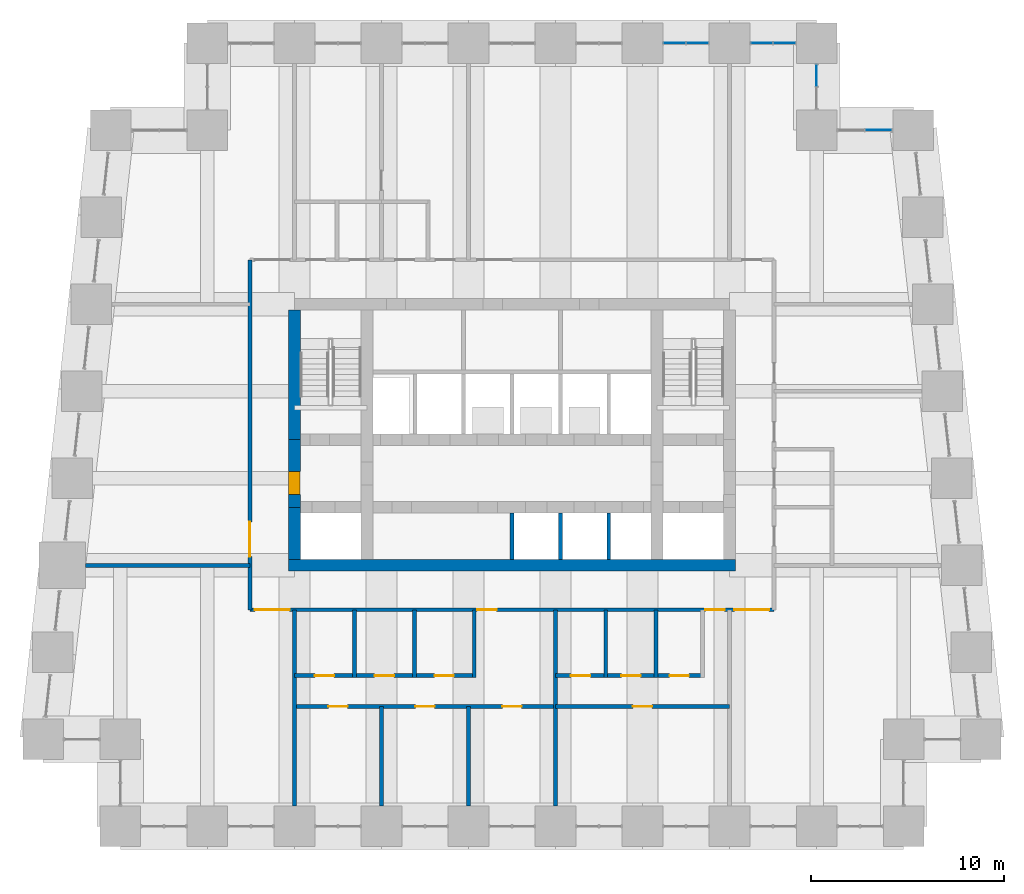
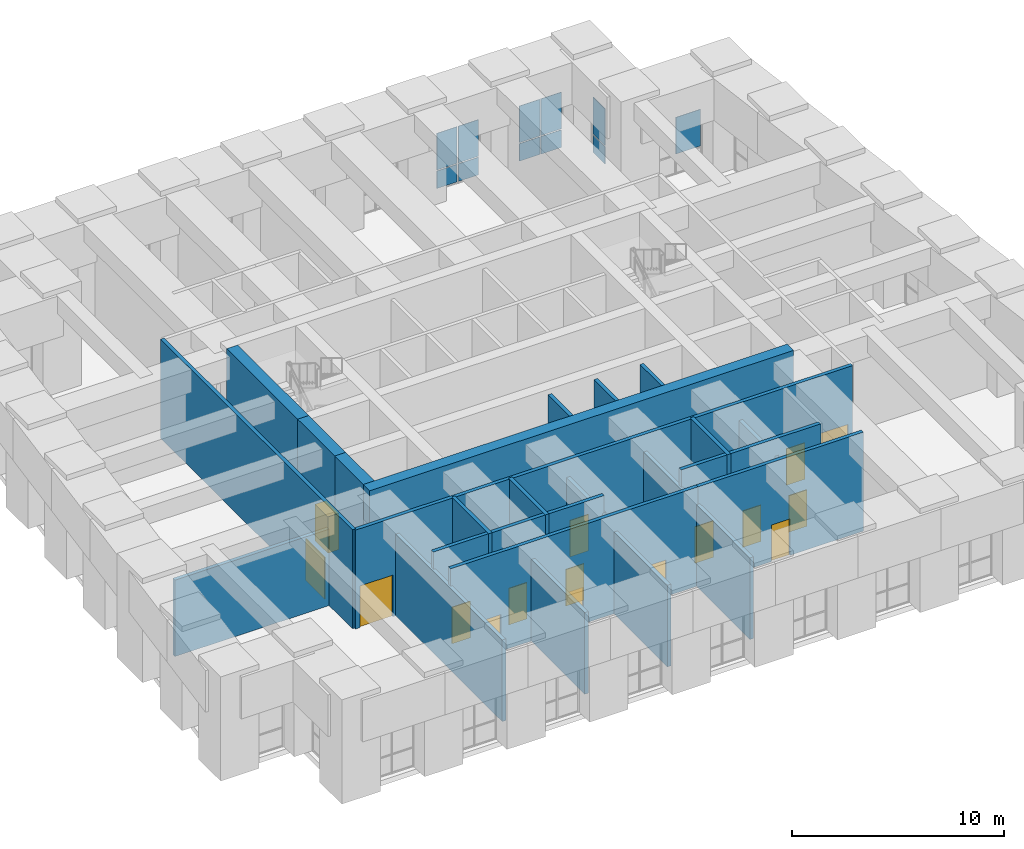
# One storey, part 11 of 17: 23 walls, 16 doors, 11 plates, 16 openings, 4 elements without a shape of their own.
"""IFC4 building model written with IfcOpenShell, lengths in metres."""

import ifcopenshell
import ifcopenshell.guid

model = None  # the IFC model being written
_history = None  # IfcOwnerHistory: only IFC2X3 demands one
_inside = {}  # id of a spatial element -> (the spatial element, [elements in it])
_under = {}  # id of a project, library or spatial element -> (it, [spatial elements below it])
_declared = {}  # id of a project -> (the project, [libraries it declares])
_typed = {}  # id of a type object -> (the type object, [elements of that type])
_made_of = {}  # id of a material, layer set ... -> (it, [elements and type objects made of it])


def new_model(schema):
    """Start an empty IFC model of exactly this schema.

    Asked for "IFC4X3", IfcOpenShell would pick the latest addendum, in which some entities
    have other attributes; the version numbers below select the first issue.
    IFC2X3 requires an IfcOwnerHistory on every rooted entity: one is made here for all.
    """
    global model, _history
    if schema == "IFC4X3":
        model = ifcopenshell.file(schema_version=(4, 3, 0, 0))
    else:
        model = ifcopenshell.file(schema=schema)
    _inside.clear()
    _under.clear()
    _declared.clear()
    _typed.clear()
    _made_of.clear()
    _history = None
    if model.schema == "IFC2X3":
        org = make("IfcOrganization", Name="unknown")
        user = make(
            "IfcPersonAndOrganization",
            ThePerson=make("IfcPerson", FamilyName="unknown"),
            TheOrganization=org,
        )
        app = make(
            "IfcApplication",
            ApplicationDeveloper=org,
            Version="unknown",
            ApplicationFullName="unknown",
            ApplicationIdentifier="unknown",
        )
        _history = make(
            "IfcOwnerHistory",
            OwningUser=user,
            OwningApplication=app,
            ChangeAction="ADDED",
            CreationDate=0,
        )
    return model


def make(cls, **values):
    """One entity of the class cls with the attributes given. An attribute that is None is left unset."""
    return model.create_entity(
        cls, **{name: value for name, value in values.items() if value is not None}
    )


def rooted(cls, **values):
    """An entity with a GlobalId (a new one), such as an element, a storey or a relation."""
    return make(cls, GlobalId=ifcopenshell.guid.new(), OwnerHistory=_history, **values)


def si_unit(unit_type, name, prefix=None):
    """IfcSIUnit, for example si_unit("LENGTHUNIT", "METRE", prefix="MILLI")."""
    return make("IfcSIUnit", UnitType=unit_type, Prefix=prefix, Name=name)


def assignment(units):
    """IfcUnitAssignment: the units of a project."""
    return None if units is None else make("IfcUnitAssignment", Units=units)


def point(xyz):
    """IfcCartesianPoint."""
    return None if xyz is None else make("IfcCartesianPoint", Coordinates=xyz)


def direction(xyz):
    """IfcDirection."""
    return None if xyz is None else make("IfcDirection", DirectionRatios=xyz)


def frame(location, z_axis=None, x_axis=None):
    """IfcAxis2Placement3D, a coordinate frame: its origin and axes. An axis left out is left unset."""
    return make(
        "IfcAxis2Placement3D",
        Location=point(location),
        Axis=direction(z_axis),
        RefDirection=direction(x_axis),
    )


def frame_2d(location, x_axis=None):
    """IfcAxis2Placement2D, a coordinate frame in the plane: its origin and x axis."""
    return make(
        "IfcAxis2Placement2D", Location=point(location), RefDirection=direction(x_axis)
    )


def origin():
    """The frame at (0, 0, 0) with its axes left unset."""
    return frame((0.0, 0.0, 0.0))


def origin_2d():
    """The frame at (0, 0) in the plane with its x axis left unset."""
    return frame_2d((0.0, 0.0))


def place(relative_to, where):
    """IfcLocalPlacement: puts the frame where relative to a parent placement (None: the world)."""
    return make(
        "IfcLocalPlacement", PlacementRelTo=relative_to, RelativePlacement=where
    )


def context(
    kind, dimensions, precision=None, world=None, true_north=None, identifier=None
):
    """IfcGeometricRepresentationContext, for example the 3D "Model" context."""
    return make(
        "IfcGeometricRepresentationContext",
        ContextIdentifier=identifier,
        ContextType=kind,
        CoordinateSpaceDimension=dimensions,
        Precision=precision,
        WorldCoordinateSystem=world,
        TrueNorth=true_north,
    )


def subcontext(parent, identifier, kind, view, scale=None):
    """IfcGeometricRepresentationSubContext, for example "Body" below "Model"."""
    return make(
        "IfcGeometricRepresentationSubContext",
        ContextIdentifier=identifier,
        ContextType=kind,
        ParentContext=parent,
        TargetScale=scale,
        TargetView=view,
    )


def project(units=None, contexts=None):
    """IfcProject with its units and contexts."""
    return rooted(
        "IfcProject",
        Name="project",
        RepresentationContexts=contexts,
        UnitsInContext=assignment(units),
    )


def spatial(cls, under=None, at=None, **own):
    """A site, building, storey or space (cls), placed at a placement, below another one or the project."""
    s = rooted(cls, ObjectPlacement=at, **own)
    if under is not None:
        _under.setdefault(under.id(), (under, []))[1].append(s)
    return s


def profile(cls, at=None, kind="AREA", **sizes):
    """A parametric profile (cls). Its sizes go by their IFC names, for example OverallWidth=200.0."""
    return make(cls, ProfileType=kind, Position=at, **sizes)


def rectangle(**sizes):
    """IfcRectangleProfileDef."""
    return profile("IfcRectangleProfileDef", **sizes)


def extrude(swept, where, along, depth):
    """IfcExtrudedAreaSolid: the profile swept, set in the frame where, extruded along a direction by depth."""
    return make(
        "IfcExtrudedAreaSolid",
        SweptArea=swept,
        Position=where,
        ExtrudedDirection=direction(along),
        Depth=depth,
    )


def shape(context_of_items, identifier, shape_type, items):
    """IfcShapeRepresentation: the items that make up one representation, for example the "Body"."""
    return make(
        "IfcShapeRepresentation",
        ContextOfItems=context_of_items,
        RepresentationIdentifier=identifier,
        RepresentationType=shape_type,
        Items=items,
    )


def material(Name=None, Category=None):
    """IfcMaterial."""
    return make("IfcMaterial", Name=Name, Category=Category)


def layer(
    of_material, thickness, ventilated=None, Name=None, Category=None, Priority=None
):
    """IfcMaterialLayer: one layer of a wall or slab, of a material (None: an air gap)."""
    return make(
        "IfcMaterialLayer",
        Material=of_material,
        LayerThickness=thickness,
        IsVentilated=ventilated,
        Name=Name,
        Category=Category,
        Priority=Priority,
    )


def layer_set(layers, Name=None):
    """IfcMaterialLayerSet."""
    return make("IfcMaterialLayerSet", MaterialLayers=layers, LayerSetName=Name)


def made_of(thing, what):
    """Note that an element or type object is made of a material, layer set ...; save() writes the relation."""
    if what is not None:
        _made_of.setdefault(what.id(), (what, []))[1].append(thing)
    return thing


def type_object(cls, material=None, **own):
    """A type object (cls), such as IfcWallType, which elements share."""
    return made_of(rooted(cls, **own), material)


def element(
    cls,
    number,
    at=None,
    inside=None,
    cuts=None,
    type_object=None,
    material=None,
    context=None,
    identifier="Body",
    shape_type=None,
    held_by="IfcProductDefinitionShape",
    body=None,
    shapes=None,
    **own,
):
    """One element of the class cls, such as IfcWall. Its Tag is "e" and its number.

    at: its placement. inside: the storey or other place that contains it. cuts: it is an
    opening in that element (IfcRelVoidsElement). A single representation is given by context,
    identifier, shape_type and body (its items); several are given by shapes. held_by: the class
    of the entity that holds the representations. save() writes the other relations.
    """
    e = rooted(cls, Tag="e%d" % number, ObjectPlacement=at, **own)
    if body is not None:
        shapes = [shape(context, identifier, shape_type, body)]
    if shapes is not None:
        e.Representation = make(held_by, Representations=shapes)
    if inside is not None:
        _inside.setdefault(inside.id(), (inside, []))[1].append(e)
    if cuts is not None:
        rooted(
            "IfcRelVoidsElement", RelatingBuildingElement=cuts, RelatedOpeningElement=e
        )
    if type_object is not None:
        _typed.setdefault(type_object.id(), (type_object, []))[1].append(e)
    return made_of(e, material)


def fill(opening, filler):
    """IfcRelFillsElement: the door or window that sits in an opening."""
    return rooted(
        "IfcRelFillsElement",
        RelatingOpeningElement=opening,
        RelatedBuildingElement=filler,
    )


def aggregate(whole, parts):
    """IfcRelAggregates: a whole, such as a stair, and the parts it consists of."""
    return rooted("IfcRelAggregates", RelatingObject=whole, RelatedObjects=parts)


def save(model, path):
    """Write the relations noted so far, then the file.

    IfcRelAggregates (storeys below a building ...), IfcRelContainedInSpatialStructure (elements
    in a storey), IfcRelDefinesByType, IfcRelAssociatesMaterial and IfcRelDeclares: one each for
    every whole, place, type object, material and project.
    """
    for whole, parts in _under.values():
        aggregate(whole, parts)
    for where, things in _inside.values():
        rooted(
            "IfcRelContainedInSpatialStructure",
            RelatedElements=things,
            RelatingStructure=where,
        )
    for kind, things in _typed.values():
        rooted("IfcRelDefinesByType", RelatedObjects=things, RelatingType=kind)
    for what, things in _made_of.values():
        rooted("IfcRelAssociatesMaterial", RelatedObjects=things, RelatingMaterial=what)
    for by, libraries in _declared.values():
        rooted("IfcRelDeclares", RelatingContext=by, RelatedDefinitions=libraries)
    model.write(path)


model = new_model("IFC4")

# Units and contexts
model_context = context("Model", 3, precision=1e-05, world=origin(), true_north=direction((0.0, 1.0)))
body_context = subcontext(model_context, "Body", "Model", "MODEL_VIEW")
ifc_project = project(units=[si_unit("LENGTHUNIT", "METRE"), si_unit("AREAUNIT", "SQUARE_METRE"), si_unit("VOLUMEUNIT", "CUBIC_METRE"), si_unit("PLANEANGLEUNIT", "RADIAN"), si_unit("MASSUNIT", "GRAM", prefix="KILO")], contexts=[model_context])

# Site, building, storey
site_placement = place(None, origin())
site = spatial("IfcSite", under=ifc_project, at=site_placement, CompositionType="ELEMENT")
building_placement = place(site_placement, origin())
building = spatial("IfcBuilding", under=site, at=building_placement, Name="Kilele Tower Hotel", CompositionType="ELEMENT")
storey_placement = place(building_placement, frame((0.0, 0.0, 145.89990234375)))
storey = spatial("IfcBuildingStorey", under=building, at=storey_placement, Name="L38", CompositionType="ELEMENT", Elevation=145.89990234375)

# Curtain wall, plate
ifc_material_1 = material(Name="Aluminium curtain wall, clear double glazing", Category="aluminium")
curtain_wall_type = type_object("IfcCurtainWallType", Name="Sky lobby curtain wall CW-3", PredefinedType="NOTDEFINED", material=ifc_material_1)
curtain_wall_1_placement = place(storey_placement, origin())
curtain_wall_1 = element("IfcCurtainWall", 1, at=curtain_wall_1_placement, inside=storey, type_object=curtain_wall_type, Name="Sky lobby curtain wall CW-3 L38", PredefinedType="NOTDEFINED")
ifc_material_2 = material(Name="Clear double glazing", Category="glass")
ifc_layer_1 = layer(ifc_material_2, 0.028076171875)
ifc_layer_set_1 = layer_set([ifc_layer_1], Name="Clear double glazing")
plate_type = type_object("IfcPlateType", Name="Glazed panel 28 CW-3", PredefinedType="CURTAIN_PANEL", material=ifc_layer_set_1)
plate_1_placement = place(storey_placement, frame((43.7099609375, 36.0, 1.1298828125), z_axis=(0.0, 0.0, 1.0), x_axis=(-1.0, 0.0, 0.0)))
plate_1 = element("IfcPlate", 2, at=plate_1_placement, type_object=plate_type, Name="CW-3 panel 1.2", PredefinedType="CURTAIN_PANEL", context=body_context, shape_type="SweptSolid", body=[
    extrude(rectangle(XDim=1.360107421875, YDim=0.028076171875, at=origin_2d()), origin(), (0.0, 0.0, 1.0), 2.110107421875),
])
aggregate(curtain_wall_1, [plate_1])

# Curtain wall, plates
curtain_wall_2_placement = place(storey_placement, origin())
curtain_wall_2 = element("IfcCurtainWall", 3, at=curtain_wall_2_placement, inside=storey, type_object=curtain_wall_type, Name="Sky lobby curtain wall CW-3 L38", PredefinedType="NOTDEFINED")
plate_2_placement = place(storey_placement, frame((40.5, 38.8349609375, 0.06005859375), z_axis=(0.0, 0.0, 1.0), x_axis=(0.0, 1.0, 0.0)))
plate_2 = element("IfcPlate", 4, at=plate_2_placement, type_object=plate_type, Name="CW-3 panel 2.1", PredefinedType="CURTAIN_PANEL", context=body_context, shape_type="SweptSolid", body=[
    extrude(rectangle(XDim=1.110107421875, YDim=0.028076171875, at=origin_2d()), origin(), (0.0, 0.0, 1.0), 1.010009765625),
])
plate_3_placement = place(storey_placement, frame((40.5, 38.8349609375, 1.1298828125), z_axis=(0.0, 0.0, 1.0), x_axis=(0.0, 1.0, 0.0)))
plate_3 = element("IfcPlate", 5, at=plate_3_placement, type_object=plate_type, Name="CW-3 panel 2.2", PredefinedType="CURTAIN_PANEL", context=body_context, shape_type="SweptSolid", body=[
    extrude(rectangle(XDim=1.110107421875, YDim=0.028076171875, at=origin_2d()), origin(), (0.0, 0.0, 1.0), 2.110107421875),
])
aggregate(curtain_wall_2, [plate_2, plate_3])

curtain_wall_3_placement = place(storey_placement, origin())
curtain_wall_3 = element("IfcCurtainWall", 6, at=curtain_wall_3_placement, inside=storey, type_object=curtain_wall_type, Name="Sky lobby curtain wall CW-3 L38", PredefinedType="NOTDEFINED")
plate_4_placement = place(storey_placement, frame((38.8349609375, 40.5, 0.06005859375), z_axis=(0.0, 0.0, 1.0), x_axis=(-1.0, 0.0, 0.0)))
plate_4 = element("IfcPlate", 7, at=plate_4_placement, type_object=plate_type, Name="CW-3 panel 1.1", PredefinedType="CURTAIN_PANEL", context=body_context, shape_type="SweptSolid", body=[
    extrude(rectangle(XDim=1.110107421875, YDim=0.028076171875, at=origin_2d()), origin(), (0.0, 0.0, 1.0), 1.010009765625),
])
plate_5_placement = place(storey_placement, frame((38.8349609375, 40.5, 1.1298828125), z_axis=(0.0, 0.0, 1.0), x_axis=(-1.0, 0.0, 0.0)))
plate_5 = element("IfcPlate", 8, at=plate_5_placement, type_object=plate_type, Name="CW-3 panel 1.2", PredefinedType="CURTAIN_PANEL", context=body_context, shape_type="SweptSolid", body=[
    extrude(rectangle(XDim=1.110107421875, YDim=0.028076171875, at=origin_2d()), origin(), (0.0, 0.0, 1.0), 2.110107421875),
])
plate_6_placement = place(storey_placement, frame((37.6650390625, 40.5, 0.06005859375), z_axis=(0.0, 0.0, 1.0), x_axis=(-1.0, 0.0, 0.0)))
plate_6 = element("IfcPlate", 9, at=plate_6_placement, type_object=plate_type, Name="CW-3 panel 2.1", PredefinedType="CURTAIN_PANEL", context=body_context, shape_type="SweptSolid", body=[
    extrude(rectangle(XDim=1.110107421875, YDim=0.028076171875, at=origin_2d()), origin(), (0.0, 0.0, 1.0), 1.010009765625),
])
plate_7_placement = place(storey_placement, frame((37.6650390625, 40.5, 1.1298828125), z_axis=(0.0, 0.0, 1.0), x_axis=(-1.0, 0.0, 0.0)))
plate_7 = element("IfcPlate", 10, at=plate_7_placement, type_object=plate_type, Name="CW-3 panel 2.2", PredefinedType="CURTAIN_PANEL", context=body_context, shape_type="SweptSolid", body=[
    extrude(rectangle(XDim=1.110107421875, YDim=0.028076171875, at=origin_2d()), origin(), (0.0, 0.0, 1.0), 2.110107421875),
])
aggregate(curtain_wall_3, [plate_4, plate_5, plate_6, plate_7])

curtain_wall_4_placement = place(storey_placement, origin())
curtain_wall_4 = element("IfcCurtainWall", 11, at=curtain_wall_4_placement, inside=storey, type_object=curtain_wall_type, Name="Sky lobby curtain wall CW-3 L38", PredefinedType="NOTDEFINED")
plate_8_placement = place(storey_placement, frame((34.3349609375, 40.5, 0.06005859375), z_axis=(0.0, 0.0, 1.0), x_axis=(-1.0, 0.0, 0.0)))
plate_8 = element("IfcPlate", 12, at=plate_8_placement, type_object=plate_type, Name="CW-3 panel 1.1", PredefinedType="CURTAIN_PANEL", context=body_context, shape_type="SweptSolid", body=[
    extrude(rectangle(XDim=1.110107421875, YDim=0.028076171875, at=origin_2d()), origin(), (0.0, 0.0, 1.0), 1.010009765625),
])
plate_9_placement = place(storey_placement, frame((34.3349609375, 40.5, 1.1298828125), z_axis=(0.0, 0.0, 1.0), x_axis=(-1.0, 0.0, 0.0)))
plate_9 = element("IfcPlate", 13, at=plate_9_placement, type_object=plate_type, Name="CW-3 panel 1.2", PredefinedType="CURTAIN_PANEL", context=body_context, shape_type="SweptSolid", body=[
    extrude(rectangle(XDim=1.110107421875, YDim=0.028076171875, at=origin_2d()), origin(), (0.0, 0.0, 1.0), 2.110107421875),
])
plate_10_placement = place(storey_placement, frame((33.1650390625, 40.5, 0.06005859375), z_axis=(0.0, 0.0, 1.0), x_axis=(-1.0, 0.0, 0.0)))
plate_10 = element("IfcPlate", 14, at=plate_10_placement, type_object=plate_type, Name="CW-3 panel 2.1", PredefinedType="CURTAIN_PANEL", context=body_context, shape_type="SweptSolid", body=[
    extrude(rectangle(XDim=1.110107421875, YDim=0.028076171875, at=origin_2d()), origin(), (0.0, 0.0, 1.0), 1.010009765625),
])
plate_11_placement = place(storey_placement, frame((33.1650390625, 40.5, 1.1298828125), z_axis=(0.0, 0.0, 1.0), x_axis=(-1.0, 0.0, 0.0)))
plate_11 = element("IfcPlate", 15, at=plate_11_placement, type_object=plate_type, Name="CW-3 panel 2.2", PredefinedType="CURTAIN_PANEL", context=body_context, shape_type="SweptSolid", body=[
    extrude(rectangle(XDim=1.110107421875, YDim=0.028076171875, at=origin_2d()), origin(), (0.0, 0.0, 1.0), 2.110107421875),
])
aggregate(curtain_wall_4, [plate_8, plate_9, plate_10, plate_11])

# Walls
ifc_material_3 = material(Name="Concrete C60/75", Category="concrete")
ifc_layer_2 = layer(ifc_material_3, 0.60009765625)
ifc_layer_set_2 = layer_set([ifc_layer_2], Name="Concrete C60/75")
wall_type_1 = type_object("IfcWallType", Name="Core wall 600 C60/75", PredefinedType="SHEAR", material=ifc_layer_set_2)
wall_1_placement = place(storey_placement, frame((13.199951171875, 13.5, 0.0), z_axis=(0.0, 0.0, 1.0), x_axis=(1.0, 0.0, 0.0)))
element("IfcWall", 16, at=wall_1_placement, inside=storey, type_object=wall_type_1, Name="Core wall S L38", PredefinedType="SHEAR", context=body_context, shape_type="SweptSolid", body=[
    extrude(rectangle(XDim=23.10009765625, YDim=0.60009765625, at=frame_2d((11.550048828125, 0.0))), origin(), (0.0, 0.0, 1.0), 6.0),
])
wall_2_placement = place(storey_placement, frame((13.5, 26.699951171875, 0.0), z_axis=(0.0, 0.0, 1.0), x_axis=(0.0, -1.0, 0.0)))
element("IfcWall", 17, at=wall_2_placement, inside=storey, type_object=wall_type_1, Name="Core wall W1 L38", PredefinedType="SHEAR", context=body_context, shape_type="SweptSolid", body=[
    extrude(rectangle(XDim=6.699951171875, YDim=0.60009765625, at=frame_2d((3.35009765625, 0.0))), origin(), (0.0, 0.0, 1.0), 6.0),
])

# Wall, opening, door
wall_3_placement = place(storey_placement, frame((13.5, 20.0, 0.0), z_axis=(0.0, 0.0, 1.0), x_axis=(0.0, -1.0, 0.0)))
wall_3 = element("IfcWall", 18, at=wall_3_placement, inside=storey, type_object=wall_type_1, Name="Core wall W2 L38", PredefinedType="SHEAR", context=body_context, shape_type="SweptSolid", body=[
    extrude(rectangle(XDim=3.5, YDim=0.60009765625, at=frame_2d((1.75, 0.0))), origin(), (0.0, 0.0, 1.0), 6.0),
])
opening_1_placement = place(wall_3_placement, frame((1.64990234375, 0.0, 0.0)))
opening_1 = element("IfcOpeningElement", 19, at=opening_1_placement, cuts=wall_3, Name="Opening D4", PredefinedType="OPENING", context=body_context, shape_type="SweptSolid", body=[
    extrude(rectangle(XDim=1.199951171875, YDim=2.10009765625, at=frame_2d((0.60009765625, 1.050048828125))), frame((0.0, 0.31005859375, 0.0), z_axis=(0.0, -1.0, 0.0), x_axis=(1.0, 0.0, 0.0)), (0.0, 0.0, 1.0), 0.6201171875),
])
ifc_material_4 = material(Name="Timber door leaf in hardwood frame", Category="wood")
door_type_1 = type_object("IfcDoorType", Name="Firefighting lobby door 1200", OperationType="SINGLE_SWING_LEFT", PredefinedType="DOOR", material=ifc_material_4)
door_1_placement = place(opening_1_placement, origin())
door_1 = element("IfcDoor", 20, at=door_1_placement, inside=storey, type_object=door_type_1, Name="Lobby door L38", OperationType="SINGLE_SWING_RIGHT", OverallHeight=2.10009765625, OverallWidth=1.199951171875, PredefinedType="DOOR", context=body_context, shape_type="SweptSolid", body=[
    extrude(rectangle(XDim=1.199951171875, YDim=2.10009765625, at=frame_2d((0.60009765625, 1.050048828125))), frame((0.0, 0.2998046875, 0.0), z_axis=(0.0, -1.0, 0.0), x_axis=(1.0, 0.0, 0.0)), (0.0, 0.0, 1.0), 0.599609375),
])
fill(opening_1, door_1)

# Wall
wall_4_placement = place(storey_placement, frame((13.5, 16.5, 0.0), z_axis=(0.0, 0.0, 1.0), x_axis=(0.0, -1.0, 0.0)))
element("IfcWall", 21, at=wall_4_placement, inside=storey, type_object=wall_type_1, Name="Core wall W3 L38", PredefinedType="SHEAR", context=body_context, shape_type="SweptSolid", body=[
    extrude(rectangle(XDim=2.699951171875, YDim=0.60009765625, at=frame_2d((1.35009765625, 0.0))), origin(), (0.0, 0.0, 1.0), 6.0),
])

# Wall, openings, doors
ifc_material_5 = material(Name="Blockwork, plastered both sides", Category="masonry")
ifc_layer_3 = layer(ifc_material_5, 0.199951171875)
ifc_layer_set_3 = layer_set([ifc_layer_3], Name="Blockwork, plastered both sides")
wall_type_2 = type_object("IfcWallType", Name="Corridor wall 200", PredefinedType="PARTITIONING", material=ifc_layer_set_3)
wall_5_placement = place(storey_placement, frame((11.199951171875, 11.199951171875, 0.0), z_axis=(0.0, 0.0, 1.0), x_axis=(1.0, 0.0, 0.0)))
wall_5 = element("IfcWall", 22, at=wall_5_placement, inside=storey, type_object=wall_type_2, Name="Corridor wall 200 L38", PredefinedType="PARTITIONING", context=body_context, shape_type="SweptSolid", body=[
    extrude(rectangle(XDim=27.10009765625, YDim=0.199951171875, at=frame_2d((13.550048828125, 0.0))), origin(), (0.0, 0.0, 1.0), 5.7001953125),
])
opening_2_placement = place(wall_5_placement, frame((11.75, 0.0, 0.0)))
opening_2 = element("IfcOpeningElement", 23, at=opening_2_placement, cuts=wall_5, Name="Opening D8", PredefinedType="OPENING", context=body_context, shape_type="SweptSolid", body=[
    extrude(rectangle(XDim=1.0, YDim=2.10009765625, at=frame_2d((0.5, 1.050048828125))), frame((0.0, 0.10986328125, 0.0), z_axis=(0.0, -1.0, 0.0), x_axis=(1.0, 0.0, 0.0)), (0.0, 0.0, 1.0), 0.219970703125),
])
opening_3_placement = place(wall_5_placement, frame((23.550048828125, 0.0, 0.0)))
opening_3 = element("IfcOpeningElement", 24, at=opening_3_placement, cuts=wall_5, Name="Opening D8", PredefinedType="OPENING", context=body_context, shape_type="SweptSolid", body=[
    extrude(rectangle(XDim=1.0, YDim=2.10009765625, at=frame_2d((0.5, 1.050048828125))), frame((0.0, 0.10986328125, 0.0), z_axis=(0.0, -1.0, 0.0), x_axis=(1.0, 0.0, 0.0)), (0.0, 0.0, 1.0), 0.219970703125),
])
opening_4_placement = place(wall_5_placement, frame((0.25, 0.0, 0.0)))
opening_4 = element("IfcOpeningElement", 25, at=opening_4_placement, cuts=wall_5, Name="Opening D9", PredefinedType="OPENING", context=body_context, shape_type="SweptSolid", body=[
    extrude(rectangle(XDim=1.800048828125, YDim=2.39990234375, at=frame_2d((0.89990234375, 1.199951171875))), frame((0.0, 0.10986328125, 0.0), z_axis=(0.0, -1.0, 0.0), x_axis=(1.0, 0.0, 0.0)), (0.0, 0.0, 1.0), 0.219970703125),
])
opening_5_placement = place(wall_5_placement, frame((25.050048828125, 0.0, 0.0)))
opening_5 = element("IfcOpeningElement", 26, at=opening_5_placement, cuts=wall_5, Name="Opening D9", PredefinedType="OPENING", context=body_context, shape_type="SweptSolid", body=[
    extrude(rectangle(XDim=1.800048828125, YDim=2.39990234375, at=frame_2d((0.89990234375, 1.199951171875))), frame((0.0, 0.10986328125, 0.0), z_axis=(0.0, -1.0, 0.0), x_axis=(1.0, 0.0, 0.0)), (0.0, 0.0, 1.0), 0.219970703125),
])
ifc_material_6 = material(Name="Timber door leaf in hardwood frame", Category="wood")
door_type_2 = type_object("IfcDoorType", Name="Door 1000", OperationType="SINGLE_SWING_LEFT", PredefinedType="DOOR", material=ifc_material_6)
door_2_placement = place(opening_2_placement, origin())
door_2 = element("IfcDoor", 27, at=door_2_placement, inside=storey, type_object=door_type_2, Name="Door Spa treatment corridor 3807", OperationType="SINGLE_SWING_LEFT", OverallHeight=2.10009765625, OverallWidth=1.0, PredefinedType="DOOR", context=body_context, shape_type="SweptSolid", body=[
    extrude(rectangle(XDim=1.0, YDim=2.10009765625, at=frame_2d((0.5, 1.050048828125))), frame((0.0, 0.02490234375, 0.0), z_axis=(0.0, -1.0, 0.0), x_axis=(1.0, 0.0, 0.0)), (0.0, 0.0, 1.0), 0.050048828125),
])
fill(opening_2, door_2)
door_3_placement = place(opening_3_placement, origin())
door_3 = element("IfcDoor", 28, at=door_3_placement, inside=storey, type_object=door_type_2, Name="Door Thermal suite corridor 3812", OperationType="SINGLE_SWING_RIGHT", OverallHeight=2.10009765625, OverallWidth=1.0, PredefinedType="DOOR", context=body_context, shape_type="SweptSolid", body=[
    extrude(rectangle(XDim=1.0, YDim=2.10009765625, at=frame_2d((0.5, 1.050048828125))), frame((0.0, 0.02490234375, 0.0), z_axis=(0.0, -1.0, 0.0), x_axis=(1.0, 0.0, 0.0)), (0.0, 0.0, 1.0), 0.050048828125),
])
fill(opening_3, door_3)
ifc_material_7 = material(Name="Timber door leaf in hardwood frame", Category="wood")
door_type_3 = type_object("IfcDoorType", Name="Double door 1800", OperationType="DOUBLE_DOOR_SINGLE_SWING", PredefinedType="DOOR", material=ifc_material_7)
door_4_placement = place(opening_4_placement, origin())
door_4 = element("IfcDoor", 29, at=door_4_placement, inside=storey, type_object=door_type_3, Name="Door Spa reception 3824", OperationType="DOUBLE_DOOR_SINGLE_SWING", OverallHeight=2.39990234375, OverallWidth=1.800048828125, PredefinedType="DOOR", context=body_context, shape_type="SweptSolid", body=[
    extrude(rectangle(XDim=1.800048828125, YDim=2.39990234375, at=frame_2d((0.89990234375, 1.199951171875))), frame((0.0, 0.02490234375, 0.0), z_axis=(0.0, -1.0, 0.0), x_axis=(1.0, 0.0, 0.0)), (0.0, 0.0, 1.0), 0.050048828125),
])
fill(opening_4, door_4)
door_5_placement = place(opening_5_placement, origin())
door_5 = element("IfcDoor", 30, at=door_5_placement, inside=storey, type_object=door_type_3, Name="Door Spa relaxation lounge 3825", OperationType="DOUBLE_DOOR_SINGLE_SWING", OverallHeight=2.39990234375, OverallWidth=1.800048828125, PredefinedType="DOOR", context=body_context, shape_type="SweptSolid", body=[
    extrude(rectangle(XDim=1.800048828125, YDim=2.39990234375, at=frame_2d((0.89990234375, 1.199951171875))), frame((0.0, 0.02490234375, 0.0), z_axis=(0.0, -1.0, 0.0), x_axis=(1.0, 0.0, 0.0)), (0.0, 0.0, 1.0), 0.050048828125),
])
fill(opening_5, door_5)

# Wall, opening, door
wall_6_placement = place(storey_placement, frame((11.199951171875, 11.199951171875, 0.0), z_axis=(0.0, 0.0, 1.0), x_axis=(0.0, 1.0, 0.0)))
wall_6 = element("IfcWall", 31, at=wall_6_placement, inside=storey, type_object=wall_type_2, Name="Corridor wall 200 L38", PredefinedType="PARTITIONING", context=body_context, shape_type="SweptSolid", body=[
    extrude(rectangle(XDim=18.10009765625, YDim=0.199951171875, at=frame_2d((9.050048828125, 0.0))), origin(), (0.0, 0.0, 1.0), 5.7001953125),
])
opening_6_placement = place(wall_6_placement, frame((2.75, 0.0, 0.0)))
opening_6 = element("IfcOpeningElement", 32, at=opening_6_placement, cuts=wall_6, Name="Opening D9", PredefinedType="OPENING", context=body_context, shape_type="SweptSolid", body=[
    extrude(rectangle(XDim=1.800048828125, YDim=2.39990234375, at=frame_2d((0.89990234375, 1.199951171875))), frame((0.0, 0.10986328125, 0.0), z_axis=(0.0, -1.0, 0.0), x_axis=(1.0, 0.0, 0.0)), (0.0, 0.0, 1.0), 0.219970703125),
])
door_6_placement = place(opening_6_placement, origin())
door_6 = element("IfcDoor", 33, at=door_6_placement, inside=storey, type_object=door_type_3, Name="Door Fitness centre 3823", OperationType="DOUBLE_DOOR_SINGLE_SWING", OverallHeight=2.39990234375, OverallWidth=1.800048828125, PredefinedType="DOOR", context=body_context, shape_type="SweptSolid", body=[
    extrude(rectangle(XDim=1.800048828125, YDim=2.39990234375, at=frame_2d((0.89990234375, 1.199951171875))), frame((0.0, 0.02490234375, 0.0), z_axis=(0.0, -1.0, 0.0), x_axis=(1.0, 0.0, 0.0)), (0.0, 0.0, 1.0), 0.050048828125),
])
fill(opening_6, door_6)

# Walls
ifc_material_8 = material(Name="Blockwork, plastered both sides", Category="masonry")
ifc_layer_4 = layer(ifc_material_8, 0.199951171875)
ifc_layer_set_4 = layer_set([ifc_layer_4], Name="Blockwork, plastered both sides")
wall_type_3 = type_object("IfcWallType", Name="Partition wall 200", PredefinedType="PARTITIONING", material=ifc_layer_set_4)
for number, where, z_axis, x_axis, name in (
    (34, (13.5, 11.199951171875, 0.0), (0.0, 0.0, 1.0), (0.0, -1.0, 0.0), "Partition wall 200 L38"),
    (35, (27.0, 11.199951171875, 0.0), (0.0, 0.0, 1.0), (0.0, -1.0, 0.0), "Partition wall 200 L38"),
):
    element("IfcWall", number, at=place(storey_placement, frame(where, z_axis=z_axis, x_axis=x_axis)), inside=storey, type_object=wall_type_3, Name=name, PredefinedType="PARTITIONING", context=body_context, shape_type="SweptSolid", body=[
        extrude(rectangle(XDim=10.14990234375, YDim=0.199951171875, at=frame_2d((5.074951171875, 0.0))), origin(), (0.0, 0.0, 1.0), 4.7001953125),
    ])
wall_7_placement = place(storey_placement, frame((11.199951171875, 13.5, 0.0), z_axis=(0.0, 0.0, 1.0), x_axis=(-1.0, 0.0, 0.0)))
element("IfcWall", 36, at=wall_7_placement, inside=storey, type_object=wall_type_3, Name="Partition wall 200 L38", PredefinedType="PARTITIONING", context=body_context, shape_type="SweptSolid", body=[
    extrude(rectangle(XDim=8.4990234375, YDim=0.199951171875, at=frame_2d((4.24951171875, 0.0))), origin(), (0.0, 0.0, 1.0), 4.400146484375),
])
for number, where, z_axis, x_axis, name in (
    (37, (16.60009765625, 11.199951171875, 0.0), (0.0, 0.0, 1.0), (0.0, -1.0, 0.0), "Partition wall 200 L38"),
    (38, (19.699951171875, 11.199951171875, 0.0), (0.0, 0.0, 1.0), (0.0, -1.0, 0.0), "Partition wall 200 L38"),
):
    element("IfcWall", number, at=place(storey_placement, frame(where, z_axis=z_axis, x_axis=x_axis)), inside=storey, type_object=wall_type_3, Name=name, PredefinedType="PARTITIONING", context=body_context, shape_type="SweptSolid", body=[
        extrude(rectangle(XDim=3.5, YDim=0.199951171875, at=frame_2d((1.75, 0.0))), origin(), (0.0, 0.0, 1.0), 5.7001953125),
    ])
wall_8_placement = place(storey_placement, frame((22.800048828125, 11.199951171875, 0.0), z_axis=(0.0, 0.0, 1.0), x_axis=(0.0, -1.0, 0.0)))
element("IfcWall", 39, at=wall_8_placement, inside=storey, type_object=wall_type_3, Name="Partition wall 200 L38", PredefinedType="PARTITIONING", context=body_context, shape_type="SweptSolid", body=[
    extrude(rectangle(XDim=3.5, YDim=0.199951171875, at=frame_2d((1.75, 0.0))), origin(), (0.0, 0.0, 1.0), 4.7001953125),
])

# Wall, openings, doors
wall_9_placement = place(storey_placement, frame((13.5, 7.800048828125, 0.0), z_axis=(0.0, 0.0, 1.0), x_axis=(1.0, 0.0, 0.0)))
wall_9 = element("IfcWall", 40, at=wall_9_placement, inside=storey, type_object=wall_type_3, Name="Partition wall 200 L38", PredefinedType="PARTITIONING", context=body_context, shape_type="SweptSolid", body=[
    extrude(rectangle(XDim=9.300048828125, YDim=0.199951171875, at=frame_2d((4.64990234375, 0.0))), origin(), (0.0, 0.0, 1.0), 5.7001953125),
])
opening_7_placement = place(wall_9_placement, frame((1.050048828125, 0.0, 0.0)))
opening_7 = element("IfcOpeningElement", 41, at=opening_7_placement, cuts=wall_9, Name="Opening D8", PredefinedType="OPENING", context=body_context, shape_type="SweptSolid", body=[
    extrude(rectangle(XDim=1.0, YDim=2.10009765625, at=frame_2d((0.5, 1.050048828125))), frame((0.0, 0.10986328125, 0.0), z_axis=(0.0, -1.0, 0.0), x_axis=(1.0, 0.0, 0.0)), (0.0, 0.0, 1.0), 0.219970703125),
])
opening_8_placement = place(wall_9_placement, frame((4.14990234375, 0.0, 0.0)))
opening_8 = element("IfcOpeningElement", 42, at=opening_8_placement, cuts=wall_9, Name="Opening D8", PredefinedType="OPENING", context=body_context, shape_type="SweptSolid", body=[
    extrude(rectangle(XDim=1.0, YDim=2.10009765625, at=frame_2d((0.5, 1.050048828125))), frame((0.0, 0.10986328125, 0.0), z_axis=(0.0, -1.0, 0.0), x_axis=(1.0, 0.0, 0.0)), (0.0, 0.0, 1.0), 0.219970703125),
])
opening_9_placement = place(wall_9_placement, frame((7.25, 0.0, 0.0)))
opening_9 = element("IfcOpeningElement", 43, at=opening_9_placement, cuts=wall_9, Name="Opening D8", PredefinedType="OPENING", context=body_context, shape_type="SweptSolid", body=[
    extrude(rectangle(XDim=1.0, YDim=2.10009765625, at=frame_2d((0.5, 1.050048828125))), frame((0.0, 0.10986328125, 0.0), z_axis=(0.0, -1.0, 0.0), x_axis=(1.0, 0.0, 0.0)), (0.0, 0.0, 1.0), 0.219970703125),
])
door_7_placement = place(opening_7_placement, origin())
door_7 = element("IfcDoor", 44, at=door_7_placement, inside=storey, type_object=door_type_2, Name="Door Spa treatment room 1 3801", OperationType="SINGLE_SWING_LEFT", OverallHeight=2.10009765625, OverallWidth=1.0, PredefinedType="DOOR", context=body_context, shape_type="SweptSolid", body=[
    extrude(rectangle(XDim=1.0, YDim=2.10009765625, at=frame_2d((0.5, 1.050048828125))), frame((0.0, 0.02490234375, 0.0), z_axis=(0.0, -1.0, 0.0), x_axis=(1.0, 0.0, 0.0)), (0.0, 0.0, 1.0), 0.050048828125),
])
fill(opening_7, door_7)
door_8_placement = place(opening_8_placement, origin())
door_8 = element("IfcDoor", 45, at=door_8_placement, inside=storey, type_object=door_type_2, Name="Door Spa treatment room 2 3802", OperationType="SINGLE_SWING_LEFT", OverallHeight=2.10009765625, OverallWidth=1.0, PredefinedType="DOOR", context=body_context, shape_type="SweptSolid", body=[
    extrude(rectangle(XDim=1.0, YDim=2.10009765625, at=frame_2d((0.5, 1.050048828125))), frame((0.0, 0.02490234375, 0.0), z_axis=(0.0, -1.0, 0.0), x_axis=(1.0, 0.0, 0.0)), (0.0, 0.0, 1.0), 0.050048828125),
])
fill(opening_8, door_8)
door_9_placement = place(opening_9_placement, origin())
door_9 = element("IfcDoor", 46, at=door_9_placement, inside=storey, type_object=door_type_2, Name="Door Spa treatment room 3 3803", OperationType="SINGLE_SWING_RIGHT", OverallHeight=2.10009765625, OverallWidth=1.0, PredefinedType="DOOR", context=body_context, shape_type="SweptSolid", body=[
    extrude(rectangle(XDim=1.0, YDim=2.10009765625, at=frame_2d((0.5, 1.050048828125))), frame((0.0, 0.02490234375, 0.0), z_axis=(0.0, -1.0, 0.0), x_axis=(1.0, 0.0, 0.0)), (0.0, 0.0, 1.0), 0.050048828125),
])
fill(opening_9, door_9)

wall_10_placement = place(storey_placement, frame((13.5, 6.199951171875, 0.0), z_axis=(0.0, 0.0, 1.0), x_axis=(1.0, 0.0, 0.0)))
wall_10 = element("IfcWall", 47, at=wall_10_placement, inside=storey, type_object=wall_type_3, Name="Partition wall 200 L38", PredefinedType="PARTITIONING", context=body_context, shape_type="SweptSolid", body=[
    extrude(rectangle(XDim=13.5, YDim=0.199951171875, at=frame_2d((6.75, 0.0))), origin(), (0.0, 0.0, 1.0), 5.7001953125),
])
opening_10_placement = place(wall_10_placement, frame((2.75, 0.0, 0.0), z_axis=(0.0, 0.0, 1.0), x_axis=(-1.0, 0.0, 0.0)))
opening_10 = element("IfcOpeningElement", 48, at=opening_10_placement, cuts=wall_10, Name="Opening D8", PredefinedType="OPENING", context=body_context, shape_type="SweptSolid", body=[
    extrude(rectangle(XDim=1.0, YDim=2.10009765625, at=frame_2d((0.5, 1.050048828125))), frame((0.0, 0.10986328125, 0.0), z_axis=(0.0, -1.0, 0.0), x_axis=(1.0, 0.0, 0.0)), (0.0, 0.0, 1.0), 0.219970703125),
])
opening_11_placement = place(wall_10_placement, frame((7.25, 0.0, 0.0), z_axis=(0.0, 0.0, 1.0), x_axis=(-1.0, 0.0, 0.0)))
opening_11 = element("IfcOpeningElement", 49, at=opening_11_placement, cuts=wall_10, Name="Opening D8", PredefinedType="OPENING", context=body_context, shape_type="SweptSolid", body=[
    extrude(rectangle(XDim=1.0, YDim=2.10009765625, at=frame_2d((0.5, 1.050048828125))), frame((0.0, 0.10986328125, 0.0), z_axis=(0.0, -1.0, 0.0), x_axis=(1.0, 0.0, 0.0)), (0.0, 0.0, 1.0), 0.219970703125),
])
opening_12_placement = place(wall_10_placement, frame((11.75, 0.0, 0.0), z_axis=(0.0, 0.0, 1.0), x_axis=(-1.0, 0.0, 0.0)))
opening_12 = element("IfcOpeningElement", 50, at=opening_12_placement, cuts=wall_10, Name="Opening D8", PredefinedType="OPENING", context=body_context, shape_type="SweptSolid", body=[
    extrude(rectangle(XDim=1.0, YDim=2.10009765625, at=frame_2d((0.5, 1.050048828125))), frame((0.0, 0.10986328125, 0.0), z_axis=(0.0, -1.0, 0.0), x_axis=(1.0, 0.0, 0.0)), (0.0, 0.0, 1.0), 0.219970703125),
])
door_10_placement = place(opening_10_placement, origin())
door_10 = element("IfcDoor", 51, at=door_10_placement, inside=storey, type_object=door_type_2, Name="Door Couples' spa treatment room 1 3804", OperationType="SINGLE_SWING_RIGHT", OverallHeight=2.10009765625, OverallWidth=1.0, PredefinedType="DOOR", context=body_context, shape_type="SweptSolid", body=[
    extrude(rectangle(XDim=1.0, YDim=2.10009765625, at=frame_2d((0.5, 1.050048828125))), frame((0.0, 0.02490234375, 0.0), z_axis=(0.0, -1.0, 0.0), x_axis=(1.0, 0.0, 0.0)), (0.0, 0.0, 1.0), 0.050048828125),
])
fill(opening_10, door_10)
door_11_placement = place(opening_11_placement, origin())
door_11 = element("IfcDoor", 52, at=door_11_placement, inside=storey, type_object=door_type_2, Name="Door Couples' spa treatment room 2 3805", OperationType="SINGLE_SWING_RIGHT", OverallHeight=2.10009765625, OverallWidth=1.0, PredefinedType="DOOR", context=body_context, shape_type="SweptSolid", body=[
    extrude(rectangle(XDim=1.0, YDim=2.10009765625, at=frame_2d((0.5, 1.050048828125))), frame((0.0, 0.02490234375, 0.0), z_axis=(0.0, -1.0, 0.0), x_axis=(1.0, 0.0, 0.0)), (0.0, 0.0, 1.0), 0.050048828125),
])
fill(opening_11, door_11)
door_12_placement = place(opening_12_placement, origin())
door_12 = element("IfcDoor", 53, at=door_12_placement, inside=storey, type_object=door_type_2, Name="Door Couples' spa treatment room 3 3806", OperationType="SINGLE_SWING_LEFT", OverallHeight=2.10009765625, OverallWidth=1.0, PredefinedType="DOOR", context=body_context, shape_type="SweptSolid", body=[
    extrude(rectangle(XDim=1.0, YDim=2.10009765625, at=frame_2d((0.5, 1.050048828125))), frame((0.0, 0.02490234375, 0.0), z_axis=(0.0, -1.0, 0.0), x_axis=(1.0, 0.0, 0.0)), (0.0, 0.0, 1.0), 0.050048828125),
])
fill(opening_12, door_12)

# Walls
for number, where, z_axis, x_axis, name in (
    (54, (18.0, 6.199951171875, 0.0), (0.0, 0.0, 1.0), (0.0, -1.0, 0.0), "Partition wall 200 L38"),
    (55, (22.5, 6.199951171875, 0.0), (0.0, 0.0, 1.0), (0.0, -1.0, 0.0), "Partition wall 200 L38"),
):
    element("IfcWall", number, at=place(storey_placement, frame(where, z_axis=z_axis, x_axis=x_axis)), inside=storey, type_object=wall_type_3, Name=name, PredefinedType="PARTITIONING", context=body_context, shape_type="SweptSolid", body=[
        extrude(rectangle(XDim=5.14990234375, YDim=0.199951171875, at=frame_2d((2.574951171875, 0.0))), origin(), (0.0, 0.0, 1.0), 4.7001953125),
    ])
wall_11_placement = place(storey_placement, frame((29.60009765625, 11.199951171875, 0.0), z_axis=(0.0, 0.0, 1.0), x_axis=(0.0, -1.0, 0.0)))
element("IfcWall", 56, at=wall_11_placement, inside=storey, type_object=wall_type_3, Name="Partition wall 200 L38", PredefinedType="PARTITIONING", context=body_context, shape_type="SweptSolid", body=[
    extrude(rectangle(XDim=3.5, YDim=0.199951171875, at=frame_2d((1.75, 0.0))), origin(), (0.0, 0.0, 1.0), 5.7001953125),
])
wall_12_placement = place(storey_placement, frame((32.199951171875, 11.199951171875, 0.0), z_axis=(0.0, 0.0, 1.0), x_axis=(0.0, -1.0, 0.0)))
element("IfcWall", 57, at=wall_12_placement, inside=storey, type_object=wall_type_3, Name="Partition wall 200 L38", PredefinedType="PARTITIONING", context=body_context, shape_type="SweptSolid", body=[
    extrude(rectangle(XDim=3.5, YDim=0.199951171875, at=frame_2d((1.75, 0.0))), origin(), (0.0, 0.0, 1.0), 4.7001953125),
])

# Wall, openings, doors
wall_13_placement = place(storey_placement, frame((27.0, 7.800048828125, 0.0), z_axis=(0.0, 0.0, 1.0), x_axis=(1.0, 0.0, 0.0)))
wall_13 = element("IfcWall", 58, at=wall_13_placement, inside=storey, type_object=wall_type_3, Name="Partition wall 200 L38", PredefinedType="PARTITIONING", context=body_context, shape_type="SweptSolid", body=[
    extrude(rectangle(XDim=7.60009765625, YDim=0.199951171875, at=frame_2d((3.800048828125, 0.0))), origin(), (0.0, 0.0, 1.0), 5.7001953125),
])
opening_13_placement = place(wall_13_placement, frame((0.800048828125, 0.0, 0.0)))
opening_13 = element("IfcOpeningElement", 59, at=opening_13_placement, cuts=wall_13, Name="Opening D8", PredefinedType="OPENING", context=body_context, shape_type="SweptSolid", body=[
    extrude(rectangle(XDim=1.0, YDim=2.10009765625, at=frame_2d((0.5, 1.050048828125))), frame((0.0, 0.10986328125, 0.0), z_axis=(0.0, -1.0, 0.0), x_axis=(1.0, 0.0, 0.0)), (0.0, 0.0, 1.0), 0.219970703125),
])
opening_14_placement = place(wall_13_placement, frame((3.39990234375, 0.0, 0.0)))
opening_14 = element("IfcOpeningElement", 60, at=opening_14_placement, cuts=wall_13, Name="Opening D8", PredefinedType="OPENING", context=body_context, shape_type="SweptSolid", body=[
    extrude(rectangle(XDim=1.0, YDim=2.10009765625, at=frame_2d((0.5, 1.050048828125))), frame((0.0, 0.10986328125, 0.0), z_axis=(0.0, -1.0, 0.0), x_axis=(1.0, 0.0, 0.0)), (0.0, 0.0, 1.0), 0.219970703125),
])
opening_15_placement = place(wall_13_placement, frame((5.89990234375, 0.0, 0.0)))
opening_15 = element("IfcOpeningElement", 61, at=opening_15_placement, cuts=wall_13, Name="Opening D8", PredefinedType="OPENING", context=body_context, shape_type="SweptSolid", body=[
    extrude(rectangle(XDim=1.0, YDim=2.10009765625, at=frame_2d((0.5, 1.050048828125))), frame((0.0, 0.10986328125, 0.0), z_axis=(0.0, -1.0, 0.0), x_axis=(1.0, 0.0, 0.0)), (0.0, 0.0, 1.0), 0.219970703125),
])
door_13_placement = place(opening_13_placement, origin())
door_13 = element("IfcDoor", 62, at=door_13_placement, inside=storey, type_object=door_type_2, Name="Door Sauna 3808", OperationType="SINGLE_SWING_LEFT", OverallHeight=2.10009765625, OverallWidth=1.0, PredefinedType="DOOR", context=body_context, shape_type="SweptSolid", body=[
    extrude(rectangle(XDim=1.0, YDim=2.10009765625, at=frame_2d((0.5, 1.050048828125))), frame((0.0, 0.02490234375, 0.0), z_axis=(0.0, -1.0, 0.0), x_axis=(1.0, 0.0, 0.0)), (0.0, 0.0, 1.0), 0.050048828125),
])
fill(opening_13, door_13)
door_14_placement = place(opening_14_placement, origin())
door_14 = element("IfcDoor", 63, at=door_14_placement, inside=storey, type_object=door_type_2, Name="Door Steam room 3809", OperationType="SINGLE_SWING_RIGHT", OverallHeight=2.10009765625, OverallWidth=1.0, PredefinedType="DOOR", context=body_context, shape_type="SweptSolid", body=[
    extrude(rectangle(XDim=1.0, YDim=2.10009765625, at=frame_2d((0.5, 1.050048828125))), frame((0.0, 0.02490234375, 0.0), z_axis=(0.0, -1.0, 0.0), x_axis=(1.0, 0.0, 0.0)), (0.0, 0.0, 1.0), 0.050048828125),
])
fill(opening_14, door_14)
door_15_placement = place(opening_15_placement, origin())
door_15 = element("IfcDoor", 64, at=door_15_placement, inside=storey, type_object=door_type_2, Name="Door Experience showers 3810", OperationType="SINGLE_SWING_RIGHT", OverallHeight=2.10009765625, OverallWidth=1.0, PredefinedType="DOOR", context=body_context, shape_type="SweptSolid", body=[
    extrude(rectangle(XDim=1.0, YDim=2.10009765625, at=frame_2d((0.5, 1.050048828125))), frame((0.0, 0.02490234375, 0.0), z_axis=(0.0, -1.0, 0.0), x_axis=(1.0, 0.0, 0.0)), (0.0, 0.0, 1.0), 0.050048828125),
])
fill(opening_15, door_15)

# Wall, opening, door
wall_14_placement = place(storey_placement, frame((27.0, 6.199951171875, 0.0), z_axis=(0.0, 0.0, 1.0), x_axis=(1.0, 0.0, 0.0)))
wall_14 = element("IfcWall", 65, at=wall_14_placement, inside=storey, type_object=wall_type_3, Name="Partition wall 200 L38", PredefinedType="PARTITIONING", context=body_context, shape_type="SweptSolid", body=[
    extrude(rectangle(XDim=9.0, YDim=0.199951171875, at=frame_2d((4.5, 0.0))), origin(), (0.0, 0.0, 1.0), 5.7001953125),
])
opening_16_placement = place(wall_14_placement, frame((5.0, 0.0, 0.0), z_axis=(0.0, 0.0, 1.0), x_axis=(-1.0, 0.0, 0.0)))
opening_16 = element("IfcOpeningElement", 66, at=opening_16_placement, cuts=wall_14, Name="Opening D8", PredefinedType="OPENING", context=body_context, shape_type="SweptSolid", body=[
    extrude(rectangle(XDim=1.0, YDim=2.10009765625, at=frame_2d((0.5, 1.050048828125))), frame((0.0, 0.10986328125, 0.0), z_axis=(0.0, -1.0, 0.0), x_axis=(1.0, 0.0, 0.0)), (0.0, 0.0, 1.0), 0.219970703125),
])
door_16_placement = place(opening_16_placement, origin())
door_16 = element("IfcDoor", 67, at=door_16_placement, inside=storey, type_object=door_type_2, Name="Door Thermal suite relaxation room 3811", OperationType="SINGLE_SWING_RIGHT", OverallHeight=2.10009765625, OverallWidth=1.0, PredefinedType="DOOR", context=body_context, shape_type="SweptSolid", body=[
    extrude(rectangle(XDim=1.0, YDim=2.10009765625, at=frame_2d((0.5, 1.050048828125))), frame((0.0, 0.02490234375, 0.0), z_axis=(0.0, -1.0, 0.0), x_axis=(1.0, 0.0, 0.0)), (0.0, 0.0, 1.0), 0.050048828125),
])
fill(opening_16, door_16)

# Walls
ifc_material_9 = material(Name="Blockwork, fire-rated", Category="masonry")
ifc_layer_5 = layer(ifc_material_9, 0.199951171875)
ifc_layer_set_5 = layer_set([ifc_layer_5], Name="Blockwork, fire-rated")
wall_type_4 = type_object("IfcWallType", Name="Shaft wall 200", PredefinedType="PARTITIONING", material=ifc_layer_set_5)
for number, where, z_axis, x_axis, name in (
    (68, (24.75, 13.800048828125, 0.0), (0.0, 0.0, 1.0), (0.0, 1.0, 0.0), "Shaft wall 200 L38"),
    (69, (27.25, 13.800048828125, 0.0), (0.0, 0.0, 1.0), (0.0, 1.0, 0.0), "Shaft wall 200 L38"),
    (70, (29.75, 13.800048828125, 0.0), (0.0, 0.0, 1.0), (0.0, 1.0, 0.0), "Shaft wall 200 L38"),
):
    element("IfcWall", number, at=place(storey_placement, frame(where, z_axis=z_axis, x_axis=x_axis)), inside=storey, type_object=wall_type_4, Name=name, PredefinedType="PARTITIONING", context=body_context, shape_type="SweptSolid", body=[
        extrude(rectangle(XDim=2.39990234375, YDim=0.199951171875, at=frame_2d((1.199951171875, 0.0))), origin(), (0.0, 0.0, 1.0), 5.7001953125),
    ])

save(model, "model.ifc")
